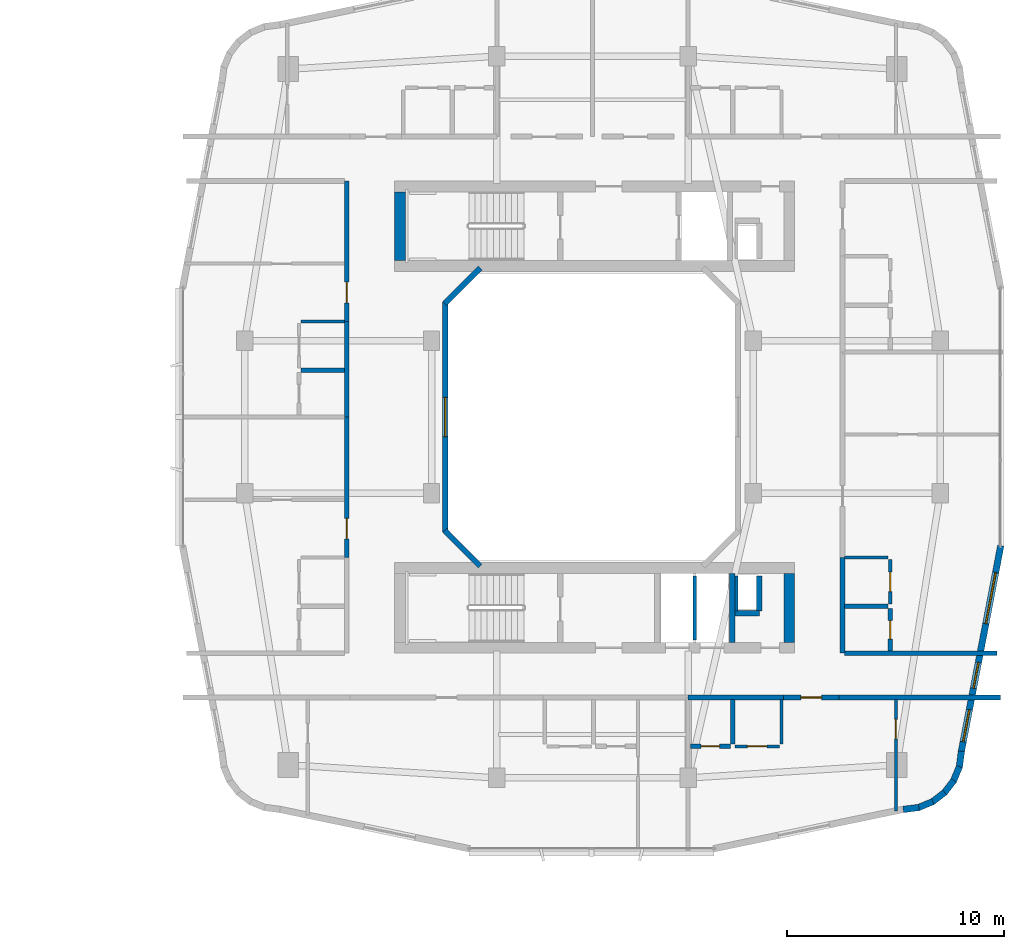
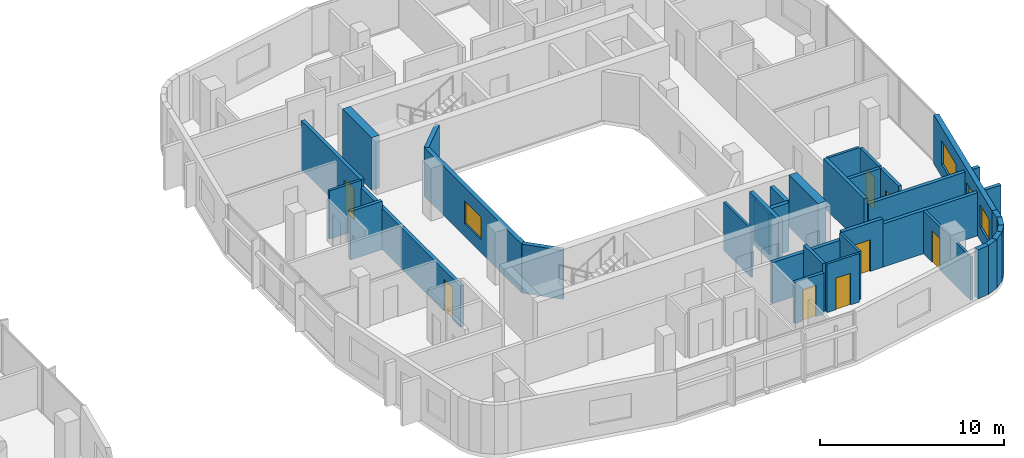
# One storey, part 18 of 26: 36 walls, 8 doors, 4 windows, 12 openings.
"""IFC4 building model written with IfcOpenShell, lengths in metres."""

from ifc_helpers import new_model, si_unit, derived_unit, direction, frame, frame_2d, origin, place, context, subcontext, project, spatial, rectangle, extrude, material, layer, layer_set, type_object, element, fill, save


model = new_model("IFC4")

# Units and contexts
model_context = context("Model", 3, precision=1e-05, world=origin(), true_north=direction((0.0, 1.0)))
body_context = subcontext(model_context, "Body", "Model", "MODEL_VIEW")
ifc_project = project(units=[si_unit("LENGTHUNIT", "METRE"), si_unit("AREAUNIT", "SQUARE_METRE"), si_unit("VOLUMEUNIT", "CUBIC_METRE"), si_unit("PLANEANGLEUNIT", "RADIAN"), si_unit("MASSUNIT", "GRAM", prefix="KILO"), derived_unit("THERMALTRANSMITTANCEUNIT", [(si_unit("POWERUNIT", "WATT"), 1), (si_unit("LENGTHUNIT", "METRE"), -2), (si_unit("THERMODYNAMICTEMPERATUREUNIT", "KELVIN"), -1)])], contexts=[model_context])

# Site, building, storey
site_placement = place(None, origin())
site = spatial("IfcSite", under=ifc_project, at=site_placement, CompositionType="ELEMENT")
building_placement = place(site_placement, origin())
building = spatial("IfcBuilding", under=site, at=building_placement, Name="Kivonza Crest Hotel", CompositionType="ELEMENT")
storey_placement = place(building_placement, frame((0.0, 0.0, 62.5)))
storey = spatial("IfcBuildingStorey", under=building, at=storey_placement, Name="L16", CompositionType="ELEMENT", Elevation=62.5)

# Walls
ifc_material_1 = material(Name="Autoclaved aerated concrete blockwork", Category="masonry")
ifc_layer_1 = layer(ifc_material_1, 0.219970703125)
ifc_layer_set_1 = layer_set([ifc_layer_1], Name="Autoclaved aerated concrete blockwork")
wall_type_1 = type_object("IfcWallType", Name="WL-ACOU-220", PredefinedType="SOLIDWALL", material=ifc_layer_set_1)
wall_1_placement = place(storey_placement, frame((81.39990234375, 12.10009765625, 0.0), z_axis=(0.0, 0.0, 1.0), x_axis=(1.0, 0.0, 0.0)))
element("IfcWall", 1, at=wall_1_placement, inside=storey, type_object=wall_type_1, Name="L16 interior partition WA-L16-A04-LCORR", PredefinedType="SOLIDWALL", context=body_context, shape_type="SweptSolid", body=[
    extrude(rectangle(XDim=4.380126953125, YDim=0.219970703125, at=frame_2d((2.18994140625, 0.0))), origin(), (0.0, 0.0, 1.0), 2.72509765625),
])
wall_2_placement = place(storey_placement, frame((88.35009765625, 12.10009765625, 0.0), z_axis=(0.0, 0.0, 1.0), x_axis=(1.0, 0.0, 0.0)))
element("IfcWall", 2, at=wall_2_placement, inside=storey, type_object=wall_type_1, Name="L16 interior partition WA-L16-A04-RCORR", PredefinedType="SOLIDWALL", context=body_context, shape_type="SweptSolid", body=[
    extrude(rectangle(XDim=7.409912109375, YDim=0.219970703125, at=frame_2d((3.705078125, 0.0))), origin(), (0.0, 0.0, 1.0), 2.864990234375),
])

# Wall, opening, door
wall_3_placement = place(storey_placement, frame((85.780029296875, 12.10009765625, 0.0), z_axis=(0.0, 0.0, 1.0), x_axis=(1.0, 0.0, 0.0)))
wall_3 = element("IfcWall", 3, at=wall_3_placement, inside=storey, type_object=wall_type_1, Name="L16 interior partition WA-L16-A04-MCORR", PredefinedType="SOLIDWALL", context=body_context, shape_type="SweptSolid", body=[
    extrude(rectangle(XDim=2.570068359375, YDim=0.219970703125, at=frame_2d((1.28515625, 0.0))), origin(), (0.0, 0.0, 1.0), 3.219970703125),
])
opening_1_placement = place(wall_3_placement, frame((0.81005859375, 0.0, 0.0)))
opening_1 = element("IfcOpeningElement", 4, at=opening_1_placement, cuts=wall_3, Name="Opening DU-60", PredefinedType="OPENING", context=body_context, shape_type="SweptSolid", body=[
    extrude(rectangle(XDim=0.949951171875, YDim=2.10009765625, at=frame_2d((0.47509765625, 1.050048828125))), frame((0.0, 0.1201171875, 0.0), z_axis=(0.0, -1.0, 0.0), x_axis=(1.0, 0.0, 0.0)), (0.0, 0.0, 1.0), 0.239990234375),
])
ifc_material_2 = material(Name="Hardwood timber oak", Category="wood")
door_type_1 = type_object("IfcDoorType", Name="DR-UNIT-950", OperationType="NOTDEFINED", PredefinedType="DOOR", material=ifc_material_2)
door_1_placement = place(opening_1_placement, frame((0.949951171875, 0.0, 0.0), z_axis=(0.0, 0.0, 1.0), x_axis=(-1.0, 0.0, 0.0)))
door_1 = element("IfcDoor", 5, at=door_1_placement, inside=storey, type_object=door_type_1, Name="L16 A04 apartment entrance fire door", OperationType="SINGLE_SWING_RIGHT", OverallHeight=2.10009765625, OverallWidth=0.949951171875, PredefinedType="DOOR", context=body_context, shape_type="SweptSolid", body=[
    extrude(rectangle(XDim=0.949951171875, YDim=2.10009765625, at=frame_2d((0.47509765625, 1.050048828125))), frame((0.0, 0.02490234375, 0.0), z_axis=(0.0, -1.0, 0.0), x_axis=(1.0, 0.0, 0.0)), (0.0, 0.0, 1.0), 0.050048828125),
])
fill(opening_1, door_1)

wall_4_placement = place(storey_placement, frame((65.699951171875, 18.5400390625, 0.0), z_axis=(0.0, 0.0, 1.0), x_axis=(0.0, 1.0, 0.0)))
wall_4 = element("IfcWall", 6, at=wall_4_placement, inside=storey, type_object=wall_type_1, Name="L16 interior partition WA-L16-A05-MCORR", PredefinedType="SOLIDWALL", context=body_context, shape_type="SweptSolid", body=[
    extrude(rectangle(XDim=6.4599609375, YDim=0.219970703125, at=frame_2d((3.22998046875, 0.0))), origin(), (0.0, 0.0, 1.0), 2.72509765625),
])
opening_2_placement = place(wall_4_placement, frame((0.85498046875, 0.0, 0.0)))
opening_2 = element("IfcOpeningElement", 7, at=opening_2_placement, cuts=wall_4, Name="Opening DU-60", PredefinedType="OPENING", context=body_context, shape_type="SweptSolid", body=[
    extrude(rectangle(XDim=0.949951171875, YDim=2.10009765625, at=frame_2d((0.47509765625, 1.050048828125))), frame((0.0, 0.1201171875, 0.0), z_axis=(0.0, -1.0, 0.0), x_axis=(1.0, 0.0, 0.0)), (0.0, 0.0, 1.0), 0.239990234375),
])
door_2_placement = place(opening_2_placement, origin())
door_2 = element("IfcDoor", 8, at=door_2_placement, inside=storey, type_object=door_type_1, Name="L16 A05 apartment entrance fire door", OperationType="SINGLE_SWING_LEFT", OverallHeight=2.10009765625, OverallWidth=0.949951171875, PredefinedType="DOOR", context=body_context, shape_type="SweptSolid", body=[
    extrude(rectangle(XDim=0.949951171875, YDim=2.10009765625, at=frame_2d((0.47509765625, 1.050048828125))), frame((0.0, 0.02490234375, 0.0), z_axis=(0.0, -1.0, 0.0), x_axis=(1.0, 0.0, 0.0)), (0.0, 0.0, 1.0), 0.050048828125),
])
fill(opening_2, door_2)

# Wall
wall_5_placement = place(storey_placement, frame((65.699951171875, 25.0, 0.0), z_axis=(0.0, 0.0, 1.0), x_axis=(0.0, 1.0, 0.0)))
element("IfcWall", 9, at=wall_5_placement, inside=storey, type_object=wall_type_1, Name="L16 interior partition WA-L16-A06-BCORR", PredefinedType="SOLIDWALL", context=body_context, shape_type="SweptSolid", body=[
    extrude(rectangle(XDim=4.39990234375, YDim=0.219970703125, at=frame_2d((2.199951171875, 0.0))), origin(), (0.0, 0.0, 1.0), 2.72509765625),
])

# Wall, opening, door
wall_6_placement = place(storey_placement, frame((65.699951171875, 29.39990234375, 0.0), z_axis=(0.0, 0.0, 1.0), x_axis=(0.0, 1.0, 0.0)))
wall_6 = element("IfcWall", 10, at=wall_6_placement, inside=storey, type_object=wall_type_1, Name="L16 interior partition WA-L16-A06-MCORR", PredefinedType="SOLIDWALL", context=body_context, shape_type="SweptSolid", body=[
    extrude(rectangle(XDim=6.460205078125, YDim=0.219970703125, at=frame_2d((3.22998046875, 0.0))), origin(), (0.0, 0.0, 1.0), 3.219970703125),
])
opening_3_placement = place(wall_6_placement, frame((0.85498046875, 0.0, 0.0)))
opening_3 = element("IfcOpeningElement", 11, at=opening_3_placement, cuts=wall_6, Name="Opening DU-60", PredefinedType="OPENING", context=body_context, shape_type="SweptSolid", body=[
    extrude(rectangle(XDim=0.949951171875, YDim=2.10009765625, at=frame_2d((0.47509765625, 1.050048828125))), frame((0.0, 0.1201171875, 0.0), z_axis=(0.0, -1.0, 0.0), x_axis=(1.0, 0.0, 0.0)), (0.0, 0.0, 1.0), 0.239990234375),
])
door_3_placement = place(opening_3_placement, origin())
door_3 = element("IfcDoor", 12, at=door_3_placement, inside=storey, type_object=door_type_1, Name="L16 A06 apartment entrance fire door", OperationType="SINGLE_SWING_RIGHT", OverallHeight=2.10009765625, OverallWidth=0.949951171875, PredefinedType="DOOR", context=body_context, shape_type="SweptSolid", body=[
    extrude(rectangle(XDim=0.949951171875, YDim=2.10009765625, at=frame_2d((0.47509765625, 1.050048828125))), frame((0.0, 0.02490234375, 0.0), z_axis=(0.0, -1.0, 0.0), x_axis=(1.0, 0.0, 0.0)), (0.0, 0.0, 1.0), 0.050048828125),
])
fill(opening_3, door_3)

# Walls
wall_7_placement = place(storey_placement, frame((88.60009765625, 14.139892578125, 0.0), z_axis=(0.0, 0.0, 1.0), x_axis=(1.0, 0.0, 0.0)))
element("IfcWall", 13, at=wall_7_placement, inside=storey, type_object=wall_type_1, Name="L16 interior partition WA-L16-T2E-ENDS", PredefinedType="SOLIDWALL", context=body_context, shape_type="SweptSolid", body=[
    extrude(rectangle(XDim=7.0, YDim=0.219970703125, at=frame_2d((3.5, 0.0))), origin(), (0.0, 0.0, 1.0), 2.864990234375),
])
wall_8_placement = place(storey_placement, frame((88.5, 14.139892578125, 0.0), z_axis=(0.0, 0.0, 1.0), x_axis=(0.0, 1.0, 0.0)))
element("IfcWall", 14, at=wall_8_placement, inside=storey, type_object=wall_type_1, Name="L16 interior partition WA-L16-A07-BCORR", PredefinedType="SOLIDWALL", context=body_context, shape_type="SweptSolid", body=[
    extrude(rectangle(XDim=4.400146484375, YDim=0.219970703125, at=frame_2d((2.2001953125, 0.0))), origin(), (0.0, 0.0, 1.0), 3.219970703125),
])
ifc_material_3 = material(Name="Concrete C60/75", Category="concrete")
ifc_layer_2 = layer(ifc_material_3, 0.5)
ifc_layer_set_2 = layer_set([ifc_layer_2], Name="Concrete C60/75")
wall_type_2 = type_object("IfcWallType", Name="WL-CORE-500", PredefinedType="SHEAR", material=ifc_layer_set_2)
for number, where, z_axis, x_axis, name in (
    (15, (68.14990234375, 32.199951171875, 0.0), (0.0, 0.0, 1.0), (0.0, 1.0, 0.0), "Core wall T2-N West L16"),
    (16, (86.050048828125, 14.639892578125, 0.0), (0.0, 0.0, 1.0), (0.0, 1.0, 0.0), "Core wall T2-S East L16"),
):
    element("IfcWall", number, at=place(storey_placement, frame(where, z_axis=z_axis, x_axis=x_axis)), inside=storey, type_object=wall_type_2, Name=name, PredefinedType="SHEAR", context=body_context, shape_type="SweptSolid", body=[
        extrude(rectangle(XDim=3.16015625, YDim=0.5, at=frame_2d((1.580078125, 0.0))), origin(), (0.0, 0.0, 1.0), 3.5),
    ])
ifc_material_4 = material(Name="Precast concrete C40/50", Category="concrete")
ifc_layer_3 = layer(ifc_material_4, 0.260009765625)
ifc_layer_set_3 = layer_set([ifc_layer_3], Name="Precast concrete C40/50")
wall_type_3 = type_object("IfcWallType", Name="WL-EXT-260", PredefinedType="STANDARD", material=ifc_layer_set_3)
wall_9_placement = place(storey_placement, frame((71.837890625, 31.862060546875, 0.0), z_axis=(0.0, 0.0, 1.0), x_axis=(-0.707053950914, -0.707159607512, 0.0)))
element("IfcWall", 17, at=wall_9_placement, inside=storey, type_object=wall_type_3, Name="L16 T2 light-well exterior wall 6", PredefinedType="STANDARD", context=body_context, shape_type="SweptSolid", body=[
    extrude(rectangle(XDim=2.310791015625, YDim=0.260009765625, at=frame_2d((1.1552734375, 0.0))), origin(), (0.0, 0.0, 1.0), 3.25),
])

# Wall, opening, window
wall_10_placement = place(storey_placement, frame((70.22998046875, 30.2900390625, 0.0), z_axis=(0.0, 0.0, 1.0), x_axis=(0.0, -1.0, 0.0)))
wall_10 = element("IfcWall", 18, at=wall_10_placement, inside=storey, type_object=wall_type_3, Name="L16 T2 light-well exterior wall 7", PredefinedType="STANDARD", context=body_context, shape_type="SweptSolid", body=[
    extrude(rectangle(XDim=10.580078125, YDim=0.260009765625, at=frame_2d((5.2900390625, 0.0))), origin(), (0.0, 0.0, 1.0), 3.25),
])
opening_4_placement = place(wall_10_placement, frame((4.389892578125, 0.0, 0.85009765625)))
opening_4 = element("IfcOpeningElement", 19, at=opening_4_placement, cuts=wall_10, Name="Opening WN-03", PredefinedType="OPENING", context=body_context, shape_type="SweptSolid", body=[
    extrude(rectangle(XDim=1.800048828125, YDim=1.5, at=frame_2d((0.89990234375, 0.75))), frame((0.0, 0.14013671875, 0.0), z_axis=(0.0, -1.0, 0.0), x_axis=(1.0, 0.0, 0.0)), (0.0, 0.0, 1.0), 0.280029296875),
])
ifc_material_5 = material(Name="Thermally broken bronze aluminium and low-E double glazing", Category="aluminium")
window_type_1 = type_object("IfcWindowType", Name="WN-180x150", PartitioningType="DOUBLE_PANEL_VERTICAL", PredefinedType="WINDOW", material=ifc_material_5)
window_1_placement = place(opening_4_placement, origin())
window_1 = element("IfcWindow", 20, at=window_1_placement, inside=storey, type_object=window_type_1, Name="L16 T2 light-well window 7", OverallHeight=1.5, OverallWidth=1.800048828125, PartitioningType="SINGLE_PANEL", PredefinedType="WINDOW", context=body_context, shape_type="SweptSolid", body=[
    extrude(rectangle(XDim=1.800048828125, YDim=1.5, at=frame_2d((0.89990234375, 0.75))), frame((0.0, 0.030029296875, 0.0), z_axis=(0.0, -1.0, 0.0), x_axis=(1.0, 0.0, 0.0)), (0.0, 0.0, 1.0), 0.06005859375),
])
fill(opening_4, window_1)

# Walls
wall_11_placement = place(storey_placement, frame((70.2041015625, 19.77197265625, 0.0), z_axis=(0.0, 0.0, 1.0), x_axis=(0.707053950914, -0.707159607512, 0.0)))
element("IfcWall", 21, at=wall_11_placement, inside=storey, type_object=wall_type_3, Name="L16 T2 light-well exterior wall 8", PredefinedType="STANDARD", context=body_context, shape_type="SweptSolid", body=[
    extrude(rectangle(XDim=2.310791015625, YDim=0.260009765625, at=frame_2d((1.1552734375, 0.0))), origin(), (0.0, 0.0, 1.0), 3.25),
])
ifc_layer_4 = layer(ifc_material_4, 0.300048828125)
ifc_layer_set_4 = layer_set([ifc_layer_4], Name="Precast concrete C40/50")
wall_type_4 = type_object("IfcWallType", Name="WL-EXT-300", PredefinedType="STANDARD", material=ifc_layer_set_4)
wall_12_placement = place(storey_placement, frame((91.29296875, 6.947998046875, 0.0), z_axis=(0.0, 0.0, 1.0), x_axis=(0.991486167159, 0.13021205909, 0.0)))
element("IfcWall", 22, at=wall_12_placement, inside=storey, type_object=wall_type_4, Name="L16 T2 exterior insulated wall 10", PredefinedType="STANDARD", context=body_context, shape_type="SweptSolid", body=[
    extrude(rectangle(XDim=0.729248046875, YDim=0.300048828125, at=frame_2d((0.36474609375, 0.0))), origin(), (0.0, 0.0, 1.0), 3.25),
])
for number, where, z_axis, x_axis, name in (
    (23, (91.965087890625, 7.02392578125, 0.0), (0.0, 0.0, 1.0), (0.923521684703, 0.383546213491, 0.0), "L16 T2 exterior insulated wall 11"),
    (24, (92.60888671875, 7.279052734375, 0.0), (0.0, 0.0, 1.0), (0.79363269798, 0.608397189915, 0.0), "L16 T2 exterior insulated wall 12"),
    (25, (93.166015625, 7.69091796875, 0.0), (0.0, 0.0, 1.0), (0.608603261071, 0.793474681772, 0.0), "L16 T2 exterior insulated wall 13"),
):
    element("IfcWall", number, at=place(storey_placement, frame(where, z_axis=z_axis, x_axis=x_axis)), inside=storey, type_object=wall_type_4, Name=name, PredefinedType="STANDARD", context=body_context, shape_type="SweptSolid", body=[
        extrude(rectangle(XDim=0.74609375, YDim=0.300048828125, at=frame_2d((0.373046875, 0.0))), origin(), (0.0, 0.0, 1.0), 3.25),
    ])
wall_13_placement = place(storey_placement, frame((93.595947265625, 8.23388671875, 0.0), z_axis=(0.0, 0.0, 1.0), x_axis=(0.383430326427, 0.923569805037, 0.0)))
element("IfcWall", 26, at=wall_13_placement, inside=storey, type_object=wall_type_4, Name="L16 T2 exterior insulated wall 14", PredefinedType="STANDARD", context=body_context, shape_type="SweptSolid", body=[
    extrude(rectangle(XDim=0.746337890625, YDim=0.300048828125, at=frame_2d((0.373046875, 0.0))), origin(), (0.0, 0.0, 1.0), 3.25),
])
wall_14_placement = place(storey_placement, frame((93.873046875, 8.868896484375, 0.0), z_axis=(0.0, 0.0, 1.0), x_axis=(0.129339184068, 0.991600411186, 0.0)))
element("IfcWall", 27, at=wall_14_placement, inside=storey, type_object=wall_type_4, Name="L16 T2 exterior insulated wall 15", PredefinedType="STANDARD", context=body_context, shape_type="SweptSolid", body=[
    extrude(rectangle(XDim=0.764404296875, YDim=0.300048828125, at=frame_2d((0.38232421875, 0.0))), origin(), (0.0, 0.0, 1.0), 3.25),
])

# Wall, openings, windows
wall_15_placement = place(storey_placement, frame((93.970947265625, 9.6201171875, 0.0), z_axis=(0.0, 0.0, 1.0), x_axis=(0.188087874316, 0.982152203854, 0.0)))
wall_15 = element("IfcWall", 28, at=wall_15_placement, inside=storey, type_object=wall_type_4, Name="L16 T2 exterior insulated wall 16", PredefinedType="STANDARD", context=body_context, shape_type="SweptSolid", body=[
    extrude(rectangle(XDim=9.6337890625, YDim=0.300048828125, at=frame_2d((4.81689453125, 0.0))), origin(), (0.0, 0.0, 1.0), 3.25),
])
opening_5_placement = place(wall_15_placement, frame((0.451904296875, 0.0, 0.85009765625)))
opening_5 = element("IfcOpeningElement", 29, at=opening_5_placement, cuts=wall_15, Name="Opening WN-02", PredefinedType="OPENING", context=body_context, shape_type="SweptSolid", body=[
    extrude(rectangle(XDim=1.5, YDim=1.5, at=frame_2d((0.75, 0.75))), frame((0.0, 0.16015625, 0.0), z_axis=(0.0, -1.0, 0.0), x_axis=(1.0, 0.0, 0.0)), (0.0, 0.0, 1.0), 0.320068359375),
])
opening_6_placement = place(wall_15_placement, frame((2.964111328125, 0.0, 0.85009765625)))
opening_6 = element("IfcOpeningElement", 30, at=opening_6_placement, cuts=wall_15, Name="Opening WN-01", PredefinedType="OPENING", context=body_context, shape_type="SweptSolid", body=[
    extrude(rectangle(XDim=1.199951171875, YDim=1.5, at=frame_2d((0.60009765625, 0.75))), frame((0.0, 0.16015625, 0.0), z_axis=(0.0, -1.0, 0.0), x_axis=(1.0, 0.0, 0.0)), (0.0, 0.0, 1.0), 0.320068359375),
])
opening_7_placement = place(wall_15_placement, frame((5.97900390625, 0.0, 0.800048828125)))
opening_7 = element("IfcOpeningElement", 31, at=opening_7_placement, cuts=wall_15, Name="Opening WN-05", PredefinedType="OPENING", context=body_context, shape_type="SweptSolid", body=[
    extrude(rectangle(XDim=2.39990234375, YDim=1.60009765625, at=frame_2d((1.199951171875, 0.800048828125))), frame((0.0, 0.16015625, 0.0), z_axis=(0.0, -1.0, 0.0), x_axis=(1.0, 0.0, 0.0)), (0.0, 0.0, 1.0), 0.320068359375),
])
window_type_2 = type_object("IfcWindowType", Name="WN-120x150", PartitioningType="SINGLE_PANEL", PredefinedType="WINDOW", material=ifc_material_5)
window_2_placement = place(opening_6_placement, origin())
window_2 = element("IfcWindow", 32, at=window_2_placement, inside=storey, type_object=window_type_2, Name="L16 T2 facade window 16 bay 2", OverallHeight=1.5, OverallWidth=1.199951171875, PartitioningType="SINGLE_PANEL", PredefinedType="WINDOW", context=body_context, shape_type="SweptSolid", body=[
    extrude(rectangle(XDim=1.199951171875, YDim=1.5, at=frame_2d((0.60009765625, 0.75))), frame((0.0, 0.030029296875, 0.0), z_axis=(0.0, -1.0, 0.0), x_axis=(1.0, 0.0, 0.0)), (0.0, 0.0, 1.0), 0.06005859375),
])
fill(opening_6, window_2)
window_type_3 = type_object("IfcWindowType", Name="WN-150x150", PartitioningType="DOUBLE_PANEL_VERTICAL", PredefinedType="WINDOW", material=ifc_material_5)
window_3_placement = place(opening_5_placement, origin())
window_3 = element("IfcWindow", 33, at=window_3_placement, inside=storey, type_object=window_type_3, Name="L16 T2 facade window 16 bay 1", OverallHeight=1.5, OverallWidth=1.5, PartitioningType="SINGLE_PANEL", PredefinedType="WINDOW", context=body_context, shape_type="SweptSolid", body=[
    extrude(rectangle(XDim=1.5, YDim=1.5, at=frame_2d((0.75, 0.75))), frame((0.0, 0.030029296875, 0.0), z_axis=(0.0, -1.0, 0.0), x_axis=(1.0, 0.0, 0.0)), (0.0, 0.0, 1.0), 0.06005859375),
])
fill(opening_5, window_3)
window_type_4 = type_object("IfcWindowType", Name="WN-240x160", PartitioningType="TRIPLE_PANEL_VERTICAL", PredefinedType="WINDOW", material=ifc_material_5)
window_4_placement = place(opening_7_placement, origin())
window_4 = element("IfcWindow", 34, at=window_4_placement, inside=storey, type_object=window_type_4, Name="L16 T2 facade window 16 bay 3", OverallHeight=1.60009765625, OverallWidth=2.39990234375, PartitioningType="SINGLE_PANEL", PredefinedType="WINDOW", context=body_context, shape_type="SweptSolid", body=[
    extrude(rectangle(XDim=2.39990234375, YDim=1.60009765625, at=frame_2d((1.199951171875, 0.800048828125))), frame((0.0, 0.030029296875, 0.0), z_axis=(0.0, -1.0, 0.0), x_axis=(1.0, 0.0, 0.0)), (0.0, 0.0, 1.0), 0.06005859375),
])
fill(opening_7, window_4)

# Walls
ifc_material_6 = material(Name="Concrete blockwork fire-compartment wall", Category="masonry")
ifc_layer_5 = layer(ifc_material_6, 0.25)
ifc_layer_set_5 = layer_set([ifc_layer_5], Name="Concrete blockwork fire-compartment wall")
wall_type_5 = type_object("IfcWallType", Name="WL-FIRE-250", PredefinedType="SOLIDWALL", material=ifc_layer_set_5)
wall_16_placement = place(storey_placement, frame((84.679931640625, 16.080078125, 0.0), z_axis=(0.0, 0.0, 1.0), x_axis=(0.0, 1.0, 0.0)))
element("IfcWall", 35, at=wall_16_placement, inside=storey, type_object=wall_type_5, Name="L16 interior partition WA-L16-T2-S-MEPR-E", PredefinedType="SOLIDWALL", context=body_context, shape_type="SweptSolid", body=[
    extrude(rectangle(XDim=1.619873046875, YDim=0.25, at=frame_2d((0.81005859375, 0.0))), origin(), (0.0, 0.0, 1.0), 3.219970703125),
])
wall_17_placement = place(storey_placement, frame((83.550048828125, 15.97998046875, 0.0), z_axis=(0.0, 0.0, 1.0), x_axis=(1.0, 0.0, 0.0)))
element("IfcWall", 36, at=wall_17_placement, inside=storey, type_object=wall_type_5, Name="L16 interior partition WA-L16-T2-S-MEPR-H", PredefinedType="SOLIDWALL", context=body_context, shape_type="SweptSolid", body=[
    extrude(rectangle(XDim=1.1298828125, YDim=0.25, at=frame_2d((0.56494140625, 0.0))), origin(), (0.0, 0.0, 1.0), 3.219970703125),
])
ifc_material_7 = material(Name="Twin-stud acoustic gypsum board partition", Category="gypsum")
ifc_layer_6 = layer(ifc_material_7, 0.14990234375)
ifc_layer_set_6 = layer_set([ifc_layer_6], Name="Twin-stud acoustic gypsum board partition")
wall_type_6 = type_object("IfcWallType", Name="WL-PART-150", PredefinedType="PARTITIONING", material=ifc_layer_set_6)
wall_18_placement = place(storey_placement, frame((83.6298828125, 16.080078125, 0.0), z_axis=(0.0, 0.0, 1.0), x_axis=(0.0, 1.0, 0.0)))
element("IfcWall", 37, at=wall_18_placement, inside=storey, type_object=wall_type_6, Name="L16 interior partition WA-L16-T2-S-MEPR-W", PredefinedType="PARTITIONING", context=body_context, shape_type="SweptSolid", body=[
    extrude(rectangle(XDim=1.619873046875, YDim=0.14990234375, at=frame_2d((0.81005859375, 0.0))), origin(), (0.0, 0.0, 1.0), 2.72509765625),
])
wall_19_placement = place(storey_placement, frame((81.699951171875, 14.739990234375, 0.0), z_axis=(0.0, 0.0, 1.0), x_axis=(0.0, 1.0, 0.0)))
element("IfcWall", 38, at=wall_19_placement, inside=storey, type_object=wall_type_6, Name="L16 interior partition WP-L16-T2-S-BSH-1", PredefinedType="PARTITIONING", context=body_context, shape_type="SweptSolid", body=[
    extrude(rectangle(XDim=2.9599609375, YDim=0.14990234375, at=frame_2d((1.47998046875, 0.0))), origin(), (0.0, 0.0, 1.0), 3.219970703125),
])

# Wall, opening, door
wall_20_placement = place(storey_placement, frame((90.9599609375, 6.886962890625, 0.0), z_axis=(0.0, 0.0, 1.0), x_axis=(0.0, 1.0, 0.0)))
wall_20 = element("IfcWall", 39, at=wall_20_placement, inside=storey, type_object=wall_type_6, Name="L16 interior partition WP-L16-A04-BDW1", PredefinedType="PARTITIONING", context=body_context, shape_type="SweptSolid", body=[
    extrude(rectangle(XDim=5.113037109375, YDim=0.14990234375, at=frame_2d((2.556640625, 0.0))), origin(), (0.0, 0.0, 1.0), 2.864990234375),
])
opening_8_placement = place(wall_20_placement, frame((3.31005859375, 0.0, 0.0)))
opening_8 = element("IfcOpeningElement", 40, at=opening_8_placement, cuts=wall_20, Name="Opening DI-90", PredefinedType="OPENING", context=body_context, shape_type="SweptSolid", body=[
    extrude(rectangle(XDim=0.89990234375, YDim=2.10009765625, at=frame_2d((0.449951171875, 1.050048828125))), frame((0.0, 0.0849609375, 0.0), z_axis=(0.0, -1.0, 0.0), x_axis=(1.0, 0.0, 0.0)), (0.0, 0.0, 1.0), 0.169921875),
])
door_type_2 = type_object("IfcDoorType", Name="DR-INT-900", OperationType="NOTDEFINED", PredefinedType="DOOR", material=ifc_material_2)
door_4_placement = place(opening_8_placement, origin())
door_4 = element("IfcDoor", 41, at=door_4_placement, inside=storey, type_object=door_type_2, Name="L16 A04 bedroom 1 door", OperationType="SINGLE_SWING_LEFT", OverallHeight=2.10009765625, OverallWidth=0.89990234375, PredefinedType="DOOR", context=body_context, shape_type="SweptSolid", body=[
    extrude(rectangle(XDim=0.89990234375, YDim=2.10009765625, at=frame_2d((0.449951171875, 1.050048828125))), frame((0.0, 0.02490234375, 0.0), z_axis=(0.0, -1.0, 0.0), x_axis=(1.0, 0.0, 0.0)), (0.0, 0.0, 1.0), 0.050048828125),
])
fill(opening_8, door_4)

# Wall
wall_21_placement = place(storey_placement, frame((85.699951171875, 9.949951171875, 0.0), z_axis=(0.0, 0.0, 1.0), x_axis=(0.0, 1.0, 0.0)))
element("IfcWall", 42, at=wall_21_placement, inside=storey, type_object=wall_type_6, Name="L16 interior partition WP-L16-A04-KF", PredefinedType="PARTITIONING", context=body_context, shape_type="SweptSolid", body=[
    extrude(rectangle(XDim=2.050048828125, YDim=0.14990234375, at=frame_2d((1.02490234375, 0.0))), origin(), (0.0, 0.0, 1.0), 3.219970703125),
])

# Wall, opening, door
wall_22_placement = place(storey_placement, frame((83.550048828125, 9.85009765625, 0.0), z_axis=(0.0, 0.0, 1.0), x_axis=(1.0, 0.0, 0.0)))
wall_22 = element("IfcWall", 43, at=wall_22_placement, inside=storey, type_object=wall_type_6, Name="L16 interior partition WP-L16-A04-KSVC", PredefinedType="PARTITIONING", context=body_context, shape_type="SweptSolid", body=[
    extrude(rectangle(XDim=2.050048828125, YDim=0.14990234375, at=frame_2d((1.02490234375, 0.0))), origin(), (0.0, 0.0, 1.0), 3.219970703125),
])
opening_9_placement = place(wall_22_placement, frame((0.574951171875, 0.0, 0.0)))
opening_9 = element("IfcOpeningElement", 44, at=opening_9_placement, cuts=wall_22, Name="Opening DI-90", PredefinedType="OPENING", context=body_context, shape_type="SweptSolid", body=[
    extrude(rectangle(XDim=0.89990234375, YDim=2.10009765625, at=frame_2d((0.449951171875, 1.050048828125))), frame((0.0, 0.0849609375, 0.0), z_axis=(0.0, -1.0, 0.0), x_axis=(1.0, 0.0, 0.0)), (0.0, 0.0, 1.0), 0.169921875),
])
door_5_placement = place(opening_9_placement, frame((0.89990234375, 0.0, 0.0), z_axis=(0.0, 0.0, 1.0), x_axis=(-1.0, 0.0, 0.0)))
door_5 = element("IfcDoor", 45, at=door_5_placement, inside=storey, type_object=door_type_2, Name="L16 A04 apartment kitchen door", OperationType="SINGLE_SWING_RIGHT", OverallHeight=2.10009765625, OverallWidth=0.89990234375, PredefinedType="DOOR", context=body_context, shape_type="SweptSolid", body=[
    extrude(rectangle(XDim=0.89990234375, YDim=2.10009765625, at=frame_2d((0.449951171875, 1.050048828125))), frame((0.0, 0.02490234375, 0.0), z_axis=(0.0, -1.0, 0.0), x_axis=(1.0, 0.0, 0.0)), (0.0, 0.0, 1.0), 0.050048828125),
])
fill(opening_9, door_5)

# Walls
for number, where, z_axis, x_axis, name in (
    (46, (63.60009765625, 29.39990234375, 0.0), (0.0, 0.0, 1.0), (1.0, 0.0, 0.0), "L16 interior partition WP-L16-A06-KF"),
    (47, (88.60009765625, 18.5400390625, 0.0), (0.0, 0.0, 1.0), (1.0, 0.0, 0.0), "L16 interior partition WP-L16-A07-KF"),
):
    element("IfcWall", number, at=place(storey_placement, frame(where, z_axis=z_axis, x_axis=x_axis)), inside=storey, type_object=wall_type_6, Name=name, PredefinedType="PARTITIONING", context=body_context, shape_type="SweptSolid", body=[
        extrude(rectangle(XDim=2.0, YDim=0.14990234375, at=frame_2d((1.0, 0.0))), origin(), (0.0, 0.0, 1.0), 3.219970703125),
    ])

# Wall, opening, door
wall_23_placement = place(storey_placement, frame((90.699951171875, 16.389892578125, 0.0), z_axis=(0.0, 0.0, 1.0), x_axis=(0.0, 1.0, 0.0)))
wall_23 = element("IfcWall", 48, at=wall_23_placement, inside=storey, type_object=wall_type_6, Name="L16 interior partition WP-L16-A07-KSVC", PredefinedType="PARTITIONING", context=body_context, shape_type="SweptSolid", body=[
    extrude(rectangle(XDim=2.050048828125, YDim=0.14990234375, at=frame_2d((1.02490234375, 0.0))), origin(), (0.0, 0.0, 1.0), 3.219970703125),
])
opening_10_placement = place(wall_23_placement, frame((0.574951171875, 0.0, 0.0)))
opening_10 = element("IfcOpeningElement", 49, at=opening_10_placement, cuts=wall_23, Name="Opening DI-90", PredefinedType="OPENING", context=body_context, shape_type="SweptSolid", body=[
    extrude(rectangle(XDim=0.89990234375, YDim=2.10009765625, at=frame_2d((0.449951171875, 1.050048828125))), frame((0.0, 0.0849609375, 0.0), z_axis=(0.0, -1.0, 0.0), x_axis=(1.0, 0.0, 0.0)), (0.0, 0.0, 1.0), 0.169921875),
])
door_6_placement = place(opening_10_placement, frame((0.89990234375, 0.0, 0.0), z_axis=(0.0, 0.0, 1.0), x_axis=(-1.0, 0.0, 0.0)))
door_6 = element("IfcDoor", 50, at=door_6_placement, inside=storey, type_object=door_type_2, Name="L16 A07 apartment kitchen door", OperationType="SINGLE_SWING_LEFT", OverallHeight=2.10009765625, OverallWidth=0.89990234375, PredefinedType="DOOR", context=body_context, shape_type="SweptSolid", body=[
    extrude(rectangle(XDim=0.89990234375, YDim=2.10009765625, at=frame_2d((0.449951171875, 1.050048828125))), frame((0.0, 0.02490234375, 0.0), z_axis=(0.0, -1.0, 0.0), x_axis=(1.0, 0.0, 0.0)), (0.0, 0.0, 1.0), 0.050048828125),
])
fill(opening_10, door_6)

# Wall
ifc_material_8 = material(Name="Moisture-resistant plumbing chase partition wall", Category="gypsum")
ifc_layer_7 = layer(ifc_material_8, 0.199951171875)
ifc_layer_set_7 = layer_set([ifc_layer_7], Name="Moisture-resistant plumbing chase partition wall")
wall_type_7 = type_object("IfcWallType", Name="WL-PLUMB-200", PredefinedType="PLUMBINGWALL", material=ifc_layer_set_7)
wall_24_placement = place(storey_placement, frame((83.449951171875, 9.949951171875, 0.0), z_axis=(0.0, 0.0, 1.0), x_axis=(0.0, 1.0, 0.0)))
element("IfcWall", 51, at=wall_24_placement, inside=storey, type_object=wall_type_7, Name="L16 interior partition WW-L16-A04-BK", PredefinedType="PLUMBINGWALL", context=body_context, shape_type="SweptSolid", body=[
    extrude(rectangle(XDim=2.050048828125, YDim=0.199951171875, at=frame_2d((1.02490234375, 0.0))), origin(), (0.0, 0.0, 1.0), 3.219970703125),
])

# Wall, opening, door
wall_25_placement = place(storey_placement, frame((81.5, 9.85009765625, 0.0), z_axis=(0.0, 0.0, 1.0), x_axis=(1.0, 0.0, 0.0)))
wall_25 = element("IfcWall", 52, at=wall_25_placement, inside=storey, type_object=wall_type_7, Name="L16 interior partition WW-L16-A04-BSVC", PredefinedType="PLUMBINGWALL", context=body_context, shape_type="SweptSolid", body=[
    extrude(rectangle(XDim=1.85009765625, YDim=0.199951171875, at=frame_2d((0.925048828125, 0.0))), origin(), (0.0, 0.0, 1.0), 2.72509765625),
])
opening_11_placement = place(wall_25_placement, frame((0.5, 0.0, 0.0)))
opening_11 = element("IfcOpeningElement", 53, at=opening_11_placement, cuts=wall_25, Name="Opening DI-85", PredefinedType="OPENING", context=body_context, shape_type="SweptSolid", body=[
    extrude(rectangle(XDim=0.85009765625, YDim=2.10009765625, at=frame_2d((0.425048828125, 1.050048828125))), frame((0.0, 0.10986328125, 0.0), z_axis=(0.0, -1.0, 0.0), x_axis=(1.0, 0.0, 0.0)), (0.0, 0.0, 1.0), 0.219970703125),
])
door_type_3 = type_object("IfcDoorType", Name="DR-INT-850", OperationType="NOTDEFINED", PredefinedType="DOOR", material=ifc_material_2)
door_7_placement = place(opening_11_placement, frame((0.85009765625, 0.0, 0.0), z_axis=(0.0, 0.0, 1.0), x_axis=(-1.0, 0.0, 0.0)))
door_7 = element("IfcDoor", 54, at=door_7_placement, inside=storey, type_object=door_type_3, Name="L16 A04 apartment bathroom door", OperationType="SINGLE_SWING_LEFT", OverallHeight=2.10009765625, OverallWidth=0.85009765625, PredefinedType="DOOR", context=body_context, shape_type="SweptSolid", body=[
    extrude(rectangle(XDim=0.85009765625, YDim=2.10009765625, at=frame_2d((0.425048828125, 1.050048828125))), frame((0.0, 0.02490234375, 0.0), z_axis=(0.0, -1.0, 0.0), x_axis=(1.0, 0.0, 0.0)), (0.0, 0.0, 1.0), 0.050048828125),
])
fill(opening_11, door_7)

# Walls
for number, where, z_axis, x_axis, name in (
    (55, (63.60009765625, 27.14990234375, 0.0), (0.0, 0.0, 1.0), (1.0, 0.0, 0.0), "L16 interior partition WW-L16-A06-BK"),
    (56, (88.60009765625, 16.2900390625, 0.0), (0.0, 0.0, 1.0), (1.0, 0.0, 0.0), "L16 interior partition WW-L16-A07-BK"),
):
    element("IfcWall", number, at=place(storey_placement, frame(where, z_axis=z_axis, x_axis=x_axis)), inside=storey, type_object=wall_type_7, Name=name, PredefinedType="PLUMBINGWALL", context=body_context, shape_type="SweptSolid", body=[
        extrude(rectangle(XDim=2.0, YDim=0.199951171875, at=frame_2d((1.0, 0.0))), origin(), (0.0, 0.0, 1.0), 3.219970703125),
    ])

# Wall, opening, door
wall_26_placement = place(storey_placement, frame((90.699951171875, 14.239990234375, 0.0), z_axis=(0.0, 0.0, 1.0), x_axis=(0.0, 1.0, 0.0)))
wall_26 = element("IfcWall", 57, at=wall_26_placement, inside=storey, type_object=wall_type_7, Name="L16 interior partition WW-L16-A07-BSVC", PredefinedType="PLUMBINGWALL", context=body_context, shape_type="SweptSolid", body=[
    extrude(rectangle(XDim=1.949951171875, YDim=0.199951171875, at=frame_2d((0.97509765625, 0.0))), origin(), (0.0, 0.0, 1.0), 3.219970703125),
])
opening_12_placement = place(wall_26_placement, frame((0.550048828125, 0.0, 0.0)))
opening_12 = element("IfcOpeningElement", 58, at=opening_12_placement, cuts=wall_26, Name="Opening DI-85", PredefinedType="OPENING", context=body_context, shape_type="SweptSolid", body=[
    extrude(rectangle(XDim=0.85009765625, YDim=2.10009765625, at=frame_2d((0.425048828125, 1.050048828125))), frame((0.0, 0.10986328125, 0.0), z_axis=(0.0, -1.0, 0.0), x_axis=(1.0, 0.0, 0.0)), (0.0, 0.0, 1.0), 0.219970703125),
])
door_8_placement = place(opening_12_placement, frame((0.85009765625, 0.0, 0.0), z_axis=(0.0, 0.0, 1.0), x_axis=(-1.0, 0.0, 0.0)))
door_8 = element("IfcDoor", 59, at=door_8_placement, inside=storey, type_object=door_type_3, Name="L16 A07 apartment bathroom door", OperationType="SINGLE_SWING_RIGHT", OverallHeight=2.10009765625, OverallWidth=0.85009765625, PredefinedType="DOOR", context=body_context, shape_type="SweptSolid", body=[
    extrude(rectangle(XDim=0.85009765625, YDim=2.10009765625, at=frame_2d((0.425048828125, 1.050048828125))), frame((0.0, 0.02490234375, 0.0), z_axis=(0.0, -1.0, 0.0), x_axis=(1.0, 0.0, 0.0)), (0.0, 0.0, 1.0), 0.050048828125),
])
fill(opening_12, door_8)

# Wall
ifc_material_9 = material(Name="Concrete C50/60", Category="concrete")
ifc_layer_8 = layer(ifc_material_9, 0.25)
ifc_layer_set_8 = layer_set([ifc_layer_8], Name="Concrete C50/60")
wall_type_8 = type_object("IfcWallType", Name="WL-SHAFT-250", PredefinedType="STANDARD", material=ifc_layer_set_8)
wall_27_placement = place(storey_placement, frame((83.425048828125, 14.639892578125, 0.0), z_axis=(0.0, 0.0, 1.0), x_axis=(0.0, 1.0, 0.0)))
element("IfcWall", 60, at=wall_27_placement, inside=storey, type_object=wall_type_8, Name="Core shaft wall T2-S BANK-E L16", PredefinedType="STANDARD", context=body_context, shape_type="SweptSolid", body=[
    extrude(rectangle(XDim=3.16015625, YDim=0.25, at=frame_2d((1.580078125, 0.0))), origin(), (0.0, 0.0, 1.0), 3.25),
])

save(model, "model.ifc")
